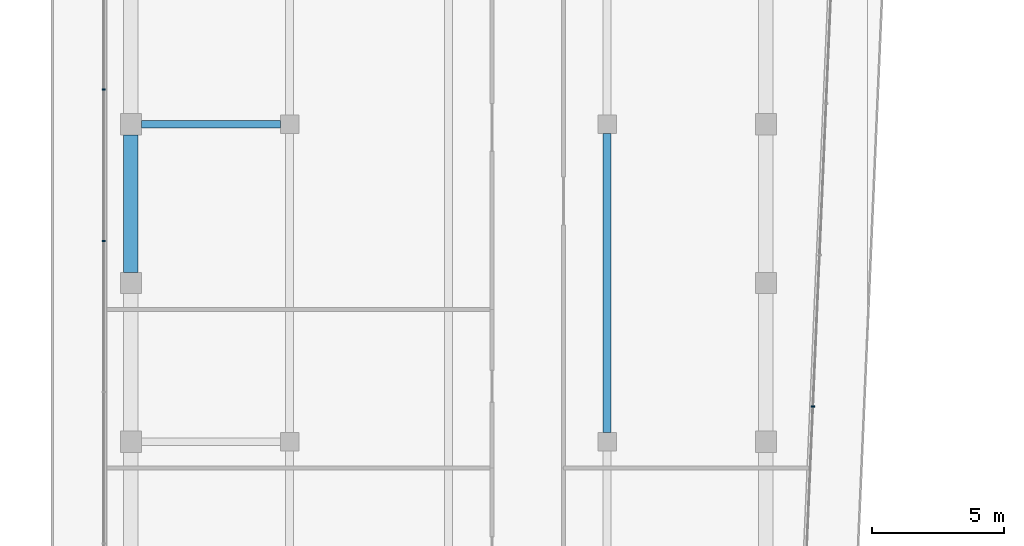
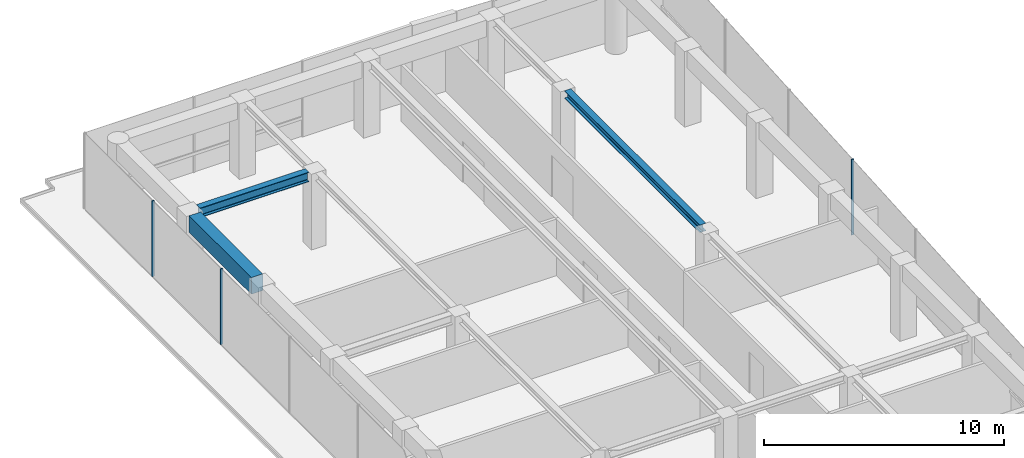
# One storey, part 11 of 20: 3 beams, 3 members, 2 elements without a shape of their own.
"""IFC4 building model written with IfcOpenShell, lengths in metres."""

import ifcopenshell
import ifcopenshell.guid

model = None  # the IFC model being written
_history = None  # IfcOwnerHistory: only IFC2X3 demands one
_inside = {}  # id of a spatial element -> (the spatial element, [elements in it])
_under = {}  # id of a project, library or spatial element -> (it, [spatial elements below it])
_declared = {}  # id of a project -> (the project, [libraries it declares])
_typed = {}  # id of a type object -> (the type object, [elements of that type])
_made_of = {}  # id of a material, layer set ... -> (it, [elements and type objects made of it])


def new_model(schema):
    """Start an empty IFC model of exactly this schema.

    Asked for "IFC4X3", IfcOpenShell would pick the latest addendum, in which some entities
    have other attributes; the version numbers below select the first issue.
    IFC2X3 requires an IfcOwnerHistory on every rooted entity: one is made here for all.
    """
    global model, _history
    if schema == "IFC4X3":
        model = ifcopenshell.file(schema_version=(4, 3, 0, 0))
    else:
        model = ifcopenshell.file(schema=schema)
    _inside.clear()
    _under.clear()
    _declared.clear()
    _typed.clear()
    _made_of.clear()
    _history = None
    if model.schema == "IFC2X3":
        org = make("IfcOrganization", Name="unknown")
        user = make(
            "IfcPersonAndOrganization",
            ThePerson=make("IfcPerson", FamilyName="unknown"),
            TheOrganization=org,
        )
        app = make(
            "IfcApplication",
            ApplicationDeveloper=org,
            Version="unknown",
            ApplicationFullName="unknown",
            ApplicationIdentifier="unknown",
        )
        _history = make(
            "IfcOwnerHistory",
            OwningUser=user,
            OwningApplication=app,
            ChangeAction="ADDED",
            CreationDate=0,
        )
    return model


def make(cls, **values):
    """One entity of the class cls with the attributes given. An attribute that is None is left unset."""
    return model.create_entity(
        cls, **{name: value for name, value in values.items() if value is not None}
    )


def rooted(cls, **values):
    """An entity with a GlobalId (a new one), such as an element, a storey or a relation."""
    return make(cls, GlobalId=ifcopenshell.guid.new(), OwnerHistory=_history, **values)


def si_unit(unit_type, name, prefix=None):
    """IfcSIUnit, for example si_unit("LENGTHUNIT", "METRE", prefix="MILLI")."""
    return make("IfcSIUnit", UnitType=unit_type, Prefix=prefix, Name=name)


def assignment(units):
    """IfcUnitAssignment: the units of a project."""
    return None if units is None else make("IfcUnitAssignment", Units=units)


def point(xyz):
    """IfcCartesianPoint."""
    return None if xyz is None else make("IfcCartesianPoint", Coordinates=xyz)


def direction(xyz):
    """IfcDirection."""
    return None if xyz is None else make("IfcDirection", DirectionRatios=xyz)


def frame(location, z_axis=None, x_axis=None):
    """IfcAxis2Placement3D, a coordinate frame: its origin and axes. An axis left out is left unset."""
    return make(
        "IfcAxis2Placement3D",
        Location=point(location),
        Axis=direction(z_axis),
        RefDirection=direction(x_axis),
    )


def frame_2d(location, x_axis=None):
    """IfcAxis2Placement2D, a coordinate frame in the plane: its origin and x axis."""
    return make(
        "IfcAxis2Placement2D", Location=point(location), RefDirection=direction(x_axis)
    )


def origin():
    """The frame at (0, 0, 0) with its axes left unset."""
    return frame((0.0, 0.0, 0.0))


def origin_2d():
    """The frame at (0, 0) in the plane with its x axis left unset."""
    return frame_2d((0.0, 0.0))


def place(relative_to, where):
    """IfcLocalPlacement: puts the frame where relative to a parent placement (None: the world)."""
    return make(
        "IfcLocalPlacement", PlacementRelTo=relative_to, RelativePlacement=where
    )


def context(
    kind, dimensions, precision=None, world=None, true_north=None, identifier=None
):
    """IfcGeometricRepresentationContext, for example the 3D "Model" context."""
    return make(
        "IfcGeometricRepresentationContext",
        ContextIdentifier=identifier,
        ContextType=kind,
        CoordinateSpaceDimension=dimensions,
        Precision=precision,
        WorldCoordinateSystem=world,
        TrueNorth=true_north,
    )


def subcontext(parent, identifier, kind, view, scale=None):
    """IfcGeometricRepresentationSubContext, for example "Body" below "Model"."""
    return make(
        "IfcGeometricRepresentationSubContext",
        ContextIdentifier=identifier,
        ContextType=kind,
        ParentContext=parent,
        TargetScale=scale,
        TargetView=view,
    )


def project(units=None, contexts=None):
    """IfcProject with its units and contexts."""
    return rooted(
        "IfcProject",
        Name="project",
        RepresentationContexts=contexts,
        UnitsInContext=assignment(units),
    )


def spatial(cls, under=None, at=None, **own):
    """A site, building, storey or space (cls), placed at a placement, below another one or the project."""
    s = rooted(cls, ObjectPlacement=at, **own)
    if under is not None:
        _under.setdefault(under.id(), (under, []))[1].append(s)
    return s


def profile(cls, at=None, kind="AREA", **sizes):
    """A parametric profile (cls). Its sizes go by their IFC names, for example OverallWidth=200.0."""
    return make(cls, ProfileType=kind, Position=at, **sizes)


def rectangle(**sizes):
    """IfcRectangleProfileDef."""
    return profile("IfcRectangleProfileDef", **sizes)


def i_section(**sizes):
    """IfcIShapeProfileDef."""
    return profile("IfcIShapeProfileDef", **sizes)


def extrude(swept, where, along, depth):
    """IfcExtrudedAreaSolid: the profile swept, set in the frame where, extruded along a direction by depth."""
    return make(
        "IfcExtrudedAreaSolid",
        SweptArea=swept,
        Position=where,
        ExtrudedDirection=direction(along),
        Depth=depth,
    )


def shape(context_of_items, identifier, shape_type, items):
    """IfcShapeRepresentation: the items that make up one representation, for example the "Body"."""
    return make(
        "IfcShapeRepresentation",
        ContextOfItems=context_of_items,
        RepresentationIdentifier=identifier,
        RepresentationType=shape_type,
        Items=items,
    )


def material(Name=None, Category=None):
    """IfcMaterial."""
    return make("IfcMaterial", Name=Name, Category=Category)


def layer(
    of_material, thickness, ventilated=None, Name=None, Category=None, Priority=None
):
    """IfcMaterialLayer: one layer of a wall or slab, of a material (None: an air gap)."""
    return make(
        "IfcMaterialLayer",
        Material=of_material,
        LayerThickness=thickness,
        IsVentilated=ventilated,
        Name=Name,
        Category=Category,
        Priority=Priority,
    )


def layer_set(layers, Name=None):
    """IfcMaterialLayerSet."""
    return make("IfcMaterialLayerSet", MaterialLayers=layers, LayerSetName=Name)


def material_profile(
    of_material, cross_section, Name=None, Category=None, Priority=None
):
    """IfcMaterialProfile: a cross section and its material."""
    return make(
        "IfcMaterialProfile",
        Name=Name,
        Material=of_material,
        Profile=cross_section,
        Priority=Priority,
        Category=Category,
    )


def profile_set(profiles, Name=None, composite=None):
    """IfcMaterialProfileSet."""
    return make(
        "IfcMaterialProfileSet",
        Name=Name,
        MaterialProfiles=profiles,
        CompositeProfile=composite,
    )


def made_of(thing, what):
    """Note that an element or type object is made of a material, layer set ...; save() writes the relation."""
    if what is not None:
        _made_of.setdefault(what.id(), (what, []))[1].append(thing)
    return thing


def type_object(cls, material=None, **own):
    """A type object (cls), such as IfcWallType, which elements share."""
    return made_of(rooted(cls, **own), material)


def element(
    cls,
    number,
    at=None,
    inside=None,
    cuts=None,
    type_object=None,
    material=None,
    context=None,
    identifier="Body",
    shape_type=None,
    held_by="IfcProductDefinitionShape",
    body=None,
    shapes=None,
    **own,
):
    """One element of the class cls, such as IfcWall. Its Tag is "e" and its number.

    at: its placement. inside: the storey or other place that contains it. cuts: it is an
    opening in that element (IfcRelVoidsElement). A single representation is given by context,
    identifier, shape_type and body (its items); several are given by shapes. held_by: the class
    of the entity that holds the representations. save() writes the other relations.
    """
    e = rooted(cls, Tag="e%d" % number, ObjectPlacement=at, **own)
    if body is not None:
        shapes = [shape(context, identifier, shape_type, body)]
    if shapes is not None:
        e.Representation = make(held_by, Representations=shapes)
    if inside is not None:
        _inside.setdefault(inside.id(), (inside, []))[1].append(e)
    if cuts is not None:
        rooted(
            "IfcRelVoidsElement", RelatingBuildingElement=cuts, RelatedOpeningElement=e
        )
    if type_object is not None:
        _typed.setdefault(type_object.id(), (type_object, []))[1].append(e)
    return made_of(e, material)


def aggregate(whole, parts):
    """IfcRelAggregates: a whole, such as a stair, and the parts it consists of."""
    return rooted("IfcRelAggregates", RelatingObject=whole, RelatedObjects=parts)


def save(model, path):
    """Write the relations noted so far, then the file.

    IfcRelAggregates (storeys below a building ...), IfcRelContainedInSpatialStructure (elements
    in a storey), IfcRelDefinesByType, IfcRelAssociatesMaterial and IfcRelDeclares: one each for
    every whole, place, type object, material and project.
    """
    for whole, parts in _under.values():
        aggregate(whole, parts)
    for where, things in _inside.values():
        rooted(
            "IfcRelContainedInSpatialStructure",
            RelatedElements=things,
            RelatingStructure=where,
        )
    for kind, things in _typed.values():
        rooted("IfcRelDefinesByType", RelatedObjects=things, RelatingType=kind)
    for what, things in _made_of.values():
        rooted("IfcRelAssociatesMaterial", RelatedObjects=things, RelatingMaterial=what)
    for by, libraries in _declared.values():
        rooted("IfcRelDeclares", RelatingContext=by, RelatedDefinitions=libraries)
    model.write(path)


model = new_model("IFC4")

# Units and contexts
model_context = context("Model", 3, precision=1e-05, world=origin(), true_north=direction((0.0, 1.0)))
body_context = subcontext(model_context, "Body", "Model", "MODEL_VIEW")
ifc_project = project(units=[si_unit("LENGTHUNIT", "METRE"), si_unit("AREAUNIT", "SQUARE_METRE"), si_unit("VOLUMEUNIT", "CUBIC_METRE"), si_unit("PLANEANGLEUNIT", "RADIAN"), si_unit("MASSUNIT", "GRAM", prefix="KILO")], contexts=[model_context])

# Site, building, storey
site_placement = place(None, origin())
site = spatial("IfcSite", under=ifc_project, at=site_placement, CompositionType="ELEMENT")
building_placement = place(site_placement, origin())
building = spatial("IfcBuilding", under=site, at=building_placement, Name="Welwitschia Terrace Campus", CompositionType="ELEMENT")
storey_placement = place(building_placement, frame((0.0, 0.0, 239.0)))
storey = spatial("IfcBuildingStorey", under=building, at=storey_placement, Name="L53", CompositionType="ELEMENT", Elevation=239.0)

# Beam
ifc_material_1 = material(Name="Steel S355", Category="steel")
ifc_material_profile_1 = material_profile(ifc_material_1, i_section(OverallWidth=0.300048828125, OverallDepth=0.389892578125, WebThickness=0.010986328125, FlangeThickness=0.01904296875, FilletRadius=0.027099609375, at=origin_2d()))
ifc_profile_set_1 = profile_set([ifc_material_profile_1], Name="Steel S355")
beam_type_1 = type_object("IfcBeamType", Name="Interior girder HE 400 A", PredefinedType="BEAM", material=ifc_profile_set_1)
beam_1_placement = place(storey_placement, frame((18.0, 52.3505859375, 3.655029296875), z_axis=(0.0, 1.0, 0.0), x_axis=(-1.0, 0.0, 0.0)))
element("IfcBeam", 1, at=beam_1_placement, inside=storey, type_object=beam_type_1, Name="Girder GB5", PredefinedType="BEAM", context=body_context, shape_type="SweptSolid", body=[
    extrude(i_section(OverallWidth=0.300048828125, OverallDepth=0.389892578125, WebThickness=0.010986328125, FlangeThickness=0.01904296875, FilletRadius=0.027099609375, at=origin_2d()), origin(), (0.0, 0.0, 1.0), 11.298828125),
])

# Curtain wall, member
ifc_material_2 = material(Name="Bronze anodised aluminium", Category="aluminium")
ifc_layer = layer(ifc_material_2, 0.1201171875)
ifc_layer_set = layer_set([ifc_layer], Name="Bronze anodised aluminium")
curtain_wall_type = type_object("IfcCurtainWallType", Name="Curtain wall CW2 tower 6000", PredefinedType="NOTDEFINED", material=ifc_layer_set)
curtain_wall_1_placement = place(storey_placement, origin())
curtain_wall_1 = element("IfcCurtainWall", 2, at=curtain_wall_1_placement, inside=storey, type_object=curtain_wall_type, Name="CW L53.7.0", PredefinedType="NOTDEFINED")
ifc_material_3 = material(Name="Bronze anodised aluminium", Category="aluminium")
ifc_material_profile_2 = material_profile(ifc_material_3, rectangle(XDim=0.1201171875, YDim=0.06005859375, at=origin_2d()))
ifc_profile_set_2 = profile_set([ifc_material_profile_2], Name="Bronze anodised aluminium")
member_type = type_object("IfcMemberType", Name="Mullion 60x120", PredefinedType="MULLION", material=ifc_profile_set_2)
member_1_placement = place(storey_placement, frame((25.780029296875, 53.326904296875, 0.0), z_axis=(0.0, 0.0, 1.0), x_axis=(-0.999048221582, 0.043619387365, 0.0)))
member_1 = element("IfcMember", 3, at=member_1_placement, type_object=member_type, Name="Mullion L53.7.0.3", PredefinedType="MULLION", context=body_context, shape_type="SweptSolid", body=[
    extrude(rectangle(XDim=0.1201171875, YDim=0.06005859375, at=origin_2d()), origin(), (0.0, 0.0, 1.0), 3.85009765625),
])
aggregate(curtain_wall_1, [member_1])

# Curtain wall, members
curtain_wall_2_placement = place(storey_placement, origin())
curtain_wall_2 = element("IfcCurtainWall", 4, at=curtain_wall_2_placement, inside=storey, type_object=curtain_wall_type, Name="CW L53.10.0", PredefinedType="NOTDEFINED")
member_2_placement = place(storey_placement, frame((-1.030029296875, 65.310791015625, 0.0), z_axis=(0.0, 0.0, 1.0), x_axis=(1.0, 0.0, 0.0)))
member_2 = element("IfcMember", 5, at=member_2_placement, type_object=member_type, Name="Mullion L53.10.0.1", PredefinedType="MULLION", context=body_context, shape_type="SweptSolid", body=[
    extrude(rectangle(XDim=0.1201171875, YDim=0.06005859375, at=origin_2d()), origin(), (0.0, 0.0, 1.0), 3.85009765625),
])
member_3_placement = place(storey_placement, frame((-1.030029296875, 59.591796875, 0.0), z_axis=(0.0, 0.0, 1.0), x_axis=(1.0, 0.0, 0.0)))
member_3 = element("IfcMember", 6, at=member_3_placement, type_object=member_type, Name="Mullion L53.10.0.2", PredefinedType="MULLION", context=body_context, shape_type="SweptSolid", body=[
    extrude(rectangle(XDim=0.1201171875, YDim=0.06005859375, at=origin_2d()), origin(), (0.0, 0.0, 1.0), 3.85009765625),
])
aggregate(curtain_wall_2, [member_2, member_3])

# Beams
ifc_material_4 = material(Name="Steel S355", Category="steel")
ifc_material_profile_3 = material_profile(ifc_material_4, i_section(OverallWidth=0.300048828125, OverallDepth=0.489990234375, WebThickness=0.011962890625, FlangeThickness=0.02294921875, FilletRadius=0.027099609375, at=origin_2d()))
ifc_profile_set_3 = profile_set([ifc_material_profile_3], Name="Steel S355")
beam_type_2 = type_object("IfcBeamType", Name="Primary beam HE 500 A", PredefinedType="BEAM", material=ifc_profile_set_3)
beam_2_placement = place(storey_placement, frame((0.400390625, 64.0, 3.60498046875), z_axis=(1.0, 0.0, 0.0), x_axis=(0.0, 1.0, 0.0)))
element("IfcBeam", 7, at=beam_2_placement, inside=storey, type_object=beam_type_2, Name="Primary beam PB5", PredefinedType="BEAM", context=body_context, shape_type="SweptSolid", body=[
    extrude(i_section(OverallWidth=0.300048828125, OverallDepth=0.489990234375, WebThickness=0.011962890625, FlangeThickness=0.02294921875, FilletRadius=0.027099609375, at=origin_2d()), origin(), (0.0, 0.0, 1.0), 5.2490234375),
])
ifc_material_5 = material(Name="Concrete C50/60", Category="concrete")
ifc_material_profile_4 = material_profile(ifc_material_5, rectangle(XDim=0.550048828125, YDim=0.85009765625, at=origin_2d()))
ifc_profile_set_4 = profile_set([ifc_material_profile_4], Name="Concrete C50/60")
beam_type_3 = type_object("IfcBeamType", Name="Ring spandrel 550x850", PredefinedType="SPANDREL", material=ifc_profile_set_4)
beam_3_placement = place(storey_placement, frame((0.0, 63.599609375, 3.425048828125), z_axis=(0.0, -1.0, 0.0), x_axis=(1.0, 0.0, 0.0)))
element("IfcBeam", 8, at=beam_3_placement, inside=storey, type_object=beam_type_3, Name="Spandrel SP3", PredefinedType="SPANDREL", context=body_context, shape_type="SweptSolid", body=[
    extrude(rectangle(XDim=0.550048828125, YDim=0.85009765625, at=origin_2d()), origin(), (0.0, 0.0, 1.0), 5.19921875),
])

save(model, "model.ifc")
